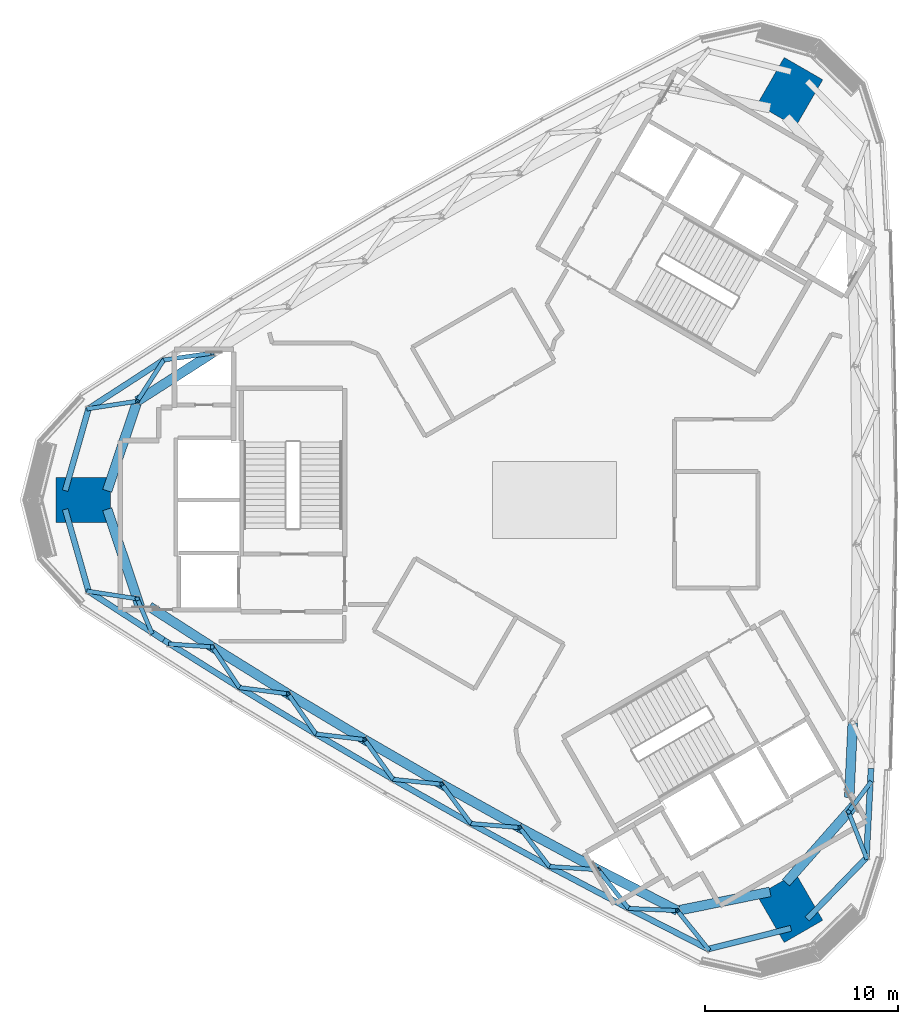
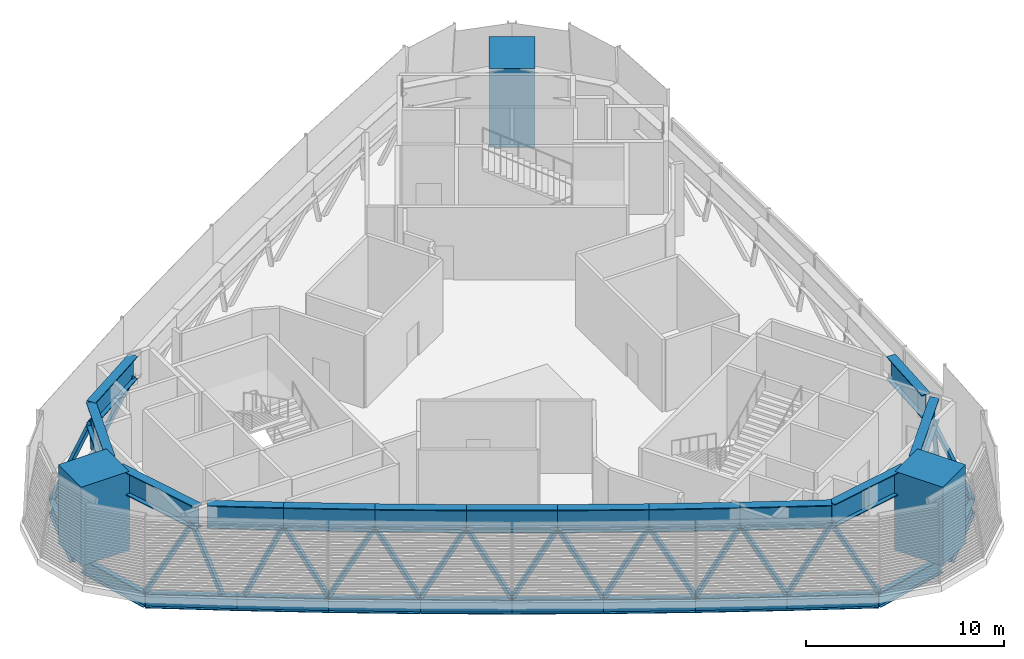
# One storey, part 1 of 18: 27 beams, 21 members, 3 columns.
"""IFC4 building model written with IfcOpenShell, lengths in metres."""

import ifcopenshell
import ifcopenshell.guid

model = None  # the IFC model being written
_history = None  # IfcOwnerHistory: only IFC2X3 demands one
_inside = {}  # id of a spatial element -> (the spatial element, [elements in it])
_under = {}  # id of a project, library or spatial element -> (it, [spatial elements below it])
_declared = {}  # id of a project -> (the project, [libraries it declares])
_typed = {}  # id of a type object -> (the type object, [elements of that type])
_made_of = {}  # id of a material, layer set ... -> (it, [elements and type objects made of it])


def new_model(schema):
    """Start an empty IFC model of exactly this schema.

    Asked for "IFC4X3", IfcOpenShell would pick the latest addendum, in which some entities
    have other attributes; the version numbers below select the first issue.
    IFC2X3 requires an IfcOwnerHistory on every rooted entity: one is made here for all.
    """
    global model, _history
    if schema == "IFC4X3":
        model = ifcopenshell.file(schema_version=(4, 3, 0, 0))
    else:
        model = ifcopenshell.file(schema=schema)
    _inside.clear()
    _under.clear()
    _declared.clear()
    _typed.clear()
    _made_of.clear()
    _history = None
    if model.schema == "IFC2X3":
        org = make("IfcOrganization", Name="unknown")
        user = make(
            "IfcPersonAndOrganization",
            ThePerson=make("IfcPerson", FamilyName="unknown"),
            TheOrganization=org,
        )
        app = make(
            "IfcApplication",
            ApplicationDeveloper=org,
            Version="unknown",
            ApplicationFullName="unknown",
            ApplicationIdentifier="unknown",
        )
        _history = make(
            "IfcOwnerHistory",
            OwningUser=user,
            OwningApplication=app,
            ChangeAction="ADDED",
            CreationDate=0,
        )
    return model


def make(cls, **values):
    """One entity of the class cls with the attributes given. An attribute that is None is left unset."""
    return model.create_entity(
        cls, **{name: value for name, value in values.items() if value is not None}
    )


def rooted(cls, **values):
    """An entity with a GlobalId (a new one), such as an element, a storey or a relation."""
    return make(cls, GlobalId=ifcopenshell.guid.new(), OwnerHistory=_history, **values)


def si_unit(unit_type, name, prefix=None):
    """IfcSIUnit, for example si_unit("LENGTHUNIT", "METRE", prefix="MILLI")."""
    return make("IfcSIUnit", UnitType=unit_type, Prefix=prefix, Name=name)


def assignment(units):
    """IfcUnitAssignment: the units of a project."""
    return None if units is None else make("IfcUnitAssignment", Units=units)


def point(xyz):
    """IfcCartesianPoint."""
    return None if xyz is None else make("IfcCartesianPoint", Coordinates=xyz)


def direction(xyz):
    """IfcDirection."""
    return None if xyz is None else make("IfcDirection", DirectionRatios=xyz)


def frame(location, z_axis=None, x_axis=None):
    """IfcAxis2Placement3D, a coordinate frame: its origin and axes. An axis left out is left unset."""
    return make(
        "IfcAxis2Placement3D",
        Location=point(location),
        Axis=direction(z_axis),
        RefDirection=direction(x_axis),
    )


def frame_2d(location, x_axis=None):
    """IfcAxis2Placement2D, a coordinate frame in the plane: its origin and x axis."""
    return make(
        "IfcAxis2Placement2D", Location=point(location), RefDirection=direction(x_axis)
    )


def origin():
    """The frame at (0, 0, 0) with its axes left unset."""
    return frame((0.0, 0.0, 0.0))


def origin_2d():
    """The frame at (0, 0) in the plane with its x axis left unset."""
    return frame_2d((0.0, 0.0))


def place(relative_to, where):
    """IfcLocalPlacement: puts the frame where relative to a parent placement (None: the world)."""
    return make(
        "IfcLocalPlacement", PlacementRelTo=relative_to, RelativePlacement=where
    )


def context(
    kind, dimensions, precision=None, world=None, true_north=None, identifier=None
):
    """IfcGeometricRepresentationContext, for example the 3D "Model" context."""
    return make(
        "IfcGeometricRepresentationContext",
        ContextIdentifier=identifier,
        ContextType=kind,
        CoordinateSpaceDimension=dimensions,
        Precision=precision,
        WorldCoordinateSystem=world,
        TrueNorth=true_north,
    )


def subcontext(parent, identifier, kind, view, scale=None):
    """IfcGeometricRepresentationSubContext, for example "Body" below "Model"."""
    return make(
        "IfcGeometricRepresentationSubContext",
        ContextIdentifier=identifier,
        ContextType=kind,
        ParentContext=parent,
        TargetScale=scale,
        TargetView=view,
    )


def project(units=None, contexts=None):
    """IfcProject with its units and contexts."""
    return rooted(
        "IfcProject",
        Name="project",
        RepresentationContexts=contexts,
        UnitsInContext=assignment(units),
    )


def spatial(cls, under=None, at=None, **own):
    """A site, building, storey or space (cls), placed at a placement, below another one or the project."""
    s = rooted(cls, ObjectPlacement=at, **own)
    if under is not None:
        _under.setdefault(under.id(), (under, []))[1].append(s)
    return s


def profile(cls, at=None, kind="AREA", **sizes):
    """A parametric profile (cls). Its sizes go by their IFC names, for example OverallWidth=200.0."""
    return make(cls, ProfileType=kind, Position=at, **sizes)


def rectangle(**sizes):
    """IfcRectangleProfileDef."""
    return profile("IfcRectangleProfileDef", **sizes)


def hollow_rectangle(**sizes):
    """IfcRectangleHollowProfileDef."""
    return profile("IfcRectangleHollowProfileDef", **sizes)


def i_section(**sizes):
    """IfcIShapeProfileDef."""
    return profile("IfcIShapeProfileDef", **sizes)


def extrude(swept, where, along, depth):
    """IfcExtrudedAreaSolid: the profile swept, set in the frame where, extruded along a direction by depth."""
    return make(
        "IfcExtrudedAreaSolid",
        SweptArea=swept,
        Position=where,
        ExtrudedDirection=direction(along),
        Depth=depth,
    )


def shape(context_of_items, identifier, shape_type, items):
    """IfcShapeRepresentation: the items that make up one representation, for example the "Body"."""
    return make(
        "IfcShapeRepresentation",
        ContextOfItems=context_of_items,
        RepresentationIdentifier=identifier,
        RepresentationType=shape_type,
        Items=items,
    )


def material(Name=None, Category=None):
    """IfcMaterial."""
    return make("IfcMaterial", Name=Name, Category=Category)


def material_profile(
    of_material, cross_section, Name=None, Category=None, Priority=None
):
    """IfcMaterialProfile: a cross section and its material."""
    return make(
        "IfcMaterialProfile",
        Name=Name,
        Material=of_material,
        Profile=cross_section,
        Priority=Priority,
        Category=Category,
    )


def profile_set(profiles, Name=None, composite=None):
    """IfcMaterialProfileSet."""
    return make(
        "IfcMaterialProfileSet",
        Name=Name,
        MaterialProfiles=profiles,
        CompositeProfile=composite,
    )


def made_of(thing, what):
    """Note that an element or type object is made of a material, layer set ...; save() writes the relation."""
    if what is not None:
        _made_of.setdefault(what.id(), (what, []))[1].append(thing)
    return thing


def type_object(cls, material=None, **own):
    """A type object (cls), such as IfcWallType, which elements share."""
    return made_of(rooted(cls, **own), material)


def element(
    cls,
    number,
    at=None,
    inside=None,
    cuts=None,
    type_object=None,
    material=None,
    context=None,
    identifier="Body",
    shape_type=None,
    held_by="IfcProductDefinitionShape",
    body=None,
    shapes=None,
    **own,
):
    """One element of the class cls, such as IfcWall. Its Tag is "e" and its number.

    at: its placement. inside: the storey or other place that contains it. cuts: it is an
    opening in that element (IfcRelVoidsElement). A single representation is given by context,
    identifier, shape_type and body (its items); several are given by shapes. held_by: the class
    of the entity that holds the representations. save() writes the other relations.
    """
    e = rooted(cls, Tag="e%d" % number, ObjectPlacement=at, **own)
    if body is not None:
        shapes = [shape(context, identifier, shape_type, body)]
    if shapes is not None:
        e.Representation = make(held_by, Representations=shapes)
    if inside is not None:
        _inside.setdefault(inside.id(), (inside, []))[1].append(e)
    if cuts is not None:
        rooted(
            "IfcRelVoidsElement", RelatingBuildingElement=cuts, RelatedOpeningElement=e
        )
    if type_object is not None:
        _typed.setdefault(type_object.id(), (type_object, []))[1].append(e)
    return made_of(e, material)


def aggregate(whole, parts):
    """IfcRelAggregates: a whole, such as a stair, and the parts it consists of."""
    return rooted("IfcRelAggregates", RelatingObject=whole, RelatedObjects=parts)


def save(model, path):
    """Write the relations noted so far, then the file.

    IfcRelAggregates (storeys below a building ...), IfcRelContainedInSpatialStructure (elements
    in a storey), IfcRelDefinesByType, IfcRelAssociatesMaterial and IfcRelDeclares: one each for
    every whole, place, type object, material and project.
    """
    for whole, parts in _under.values():
        aggregate(whole, parts)
    for where, things in _inside.values():
        rooted(
            "IfcRelContainedInSpatialStructure",
            RelatedElements=things,
            RelatingStructure=where,
        )
    for kind, things in _typed.values():
        rooted("IfcRelDefinesByType", RelatedObjects=things, RelatingType=kind)
    for what, things in _made_of.values():
        rooted("IfcRelAssociatesMaterial", RelatedObjects=things, RelatingMaterial=what)
    for by, libraries in _declared.values():
        rooted("IfcRelDeclares", RelatingContext=by, RelatedDefinitions=libraries)
    model.write(path)


model = new_model("IFC4")

# Units and contexts
model_context = context("Model", 3, precision=1e-05, world=origin(), true_north=direction((0.0, 1.0)))
body_context = subcontext(model_context, "Body", "Model", "MODEL_VIEW")
ifc_project = project(units=[si_unit("LENGTHUNIT", "METRE"), si_unit("AREAUNIT", "SQUARE_METRE"), si_unit("VOLUMEUNIT", "CUBIC_METRE"), si_unit("PLANEANGLEUNIT", "RADIAN"), si_unit("MASSUNIT", "GRAM", prefix="KILO")], contexts=[model_context])

# Site, building, storey
site_placement = place(None, origin())
site = spatial("IfcSite", under=ifc_project, at=site_placement, CompositionType="ELEMENT")
building_placement = place(site_placement, origin())
building = spatial("IfcBuilding", under=site, at=building_placement, Name="Tamra Quay Hotel Tower", CompositionType="ELEMENT")
storey_placement = place(building_placement, frame((0.0, 0.0, 257.39990234375)))
storey = spatial("IfcBuildingStorey", under=building, at=storey_placement, Name="L65", CompositionType="ELEMENT", Elevation=257.39990234375)

# Columns
ifc_material_1 = material(Name="Concrete M70", Category="concrete")
ifc_material_profile_1 = material_profile(ifc_material_1, rectangle(XDim=2.800048828125, YDim=2.300048828125, at=origin_2d()), Name="MEGA COLUMN RC 2300x2800 Z5 BELT")
ifc_profile_set_1 = profile_set([ifc_material_profile_1], Name="Concrete M70")
column_type = type_object("IfcColumnType", Name="MEGA COLUMN RC 2300x2800 Z5 BELT", PredefinedType="COLUMN", material=ifc_profile_set_1)
for number, where, z_axis, x_axis, name in (
    (1, (12.17333984375, 21.0849609375, -0.39990234375), (0.0, 0.0, 1.0), (0.5, 0.866025403784, 0.0), "COL-MR5NE-L65"),
    (2, (-24.346923828125, 0.0, -0.39990234375), (0.0, 0.0, 1.0), (1.0, 0.0, 0.0), "COL-MR5W-L65"),
    (3, (12.17333984375, -21.0849609375, -0.39990234375), (0.0, 0.0, 1.0), (-0.5, 0.866025403784, 0.0), "COL-MR5SE-L65"),
):
    element("IfcColumn", number, at=place(storey_placement, frame(where, z_axis=z_axis, x_axis=x_axis)), inside=storey, type_object=column_type, Name=name, PredefinedType="COLUMN", context=body_context, shape_type="SweptSolid", body=[
        extrude(rectangle(XDim=2.800048828125, YDim=2.300048828125, at=origin_2d()), origin(), (0.0, 0.0, 1.0), 4.85009765625),
    ])

# Members
ifc_material_2 = material(Name="Structural steel IS 2062 E350", Category="steel")
ifc_material_profile_2 = material_profile(ifc_material_2, hollow_rectangle(XDim=0.219970703125, YDim=0.219970703125, WallThickness=0.010009765625, at=origin_2d()), Name="SHS 220x220x10")
ifc_profile_set_2 = profile_set([ifc_material_profile_2], Name="Structural steel IS 2062 E350")
member_type = type_object("IfcMemberType", Name="BELT BRACE SHS 220x220x10 Z5", PredefinedType="BRACE", material=ifc_profile_set_2)
member_1_placement = place(storey_placement, frame((16.12548828125, -18.490966796875, -0.39990234375), z_axis=(-0.209315007637, 0.538317676346, 0.816334065755), x_axis=(-0.93202265789, -0.362400007146, 0.0)))
element("IfcMember", 4, at=member_1_placement, inside=storey, type_object=member_type, Name="BR-L65-000", PredefinedType="BRACE", context=body_context, shape_type="SweptSolid", body=[
    extrude(hollow_rectangle(XDim=0.219970703125, YDim=0.219970703125, WallThickness=0.010009765625, at=origin_2d()), origin(), (0.0, 0.0, 1.0), 4.41015625),
])
member_2_placement = place(storey_placement, frame((-20.19482421875, 7.235107421875, -0.39990234375), z_axis=(0.570533750295, 0.081686910921, 0.817201620384), x_axis=(-0.141730965133, 0.989905214413, 0.0)))
element("IfcMember", 5, at=member_2_placement, inside=storey, type_object=member_type, Name="BR-L65-025", PredefinedType="BRACE", context=body_context, shape_type="SweptSolid", body=[
    extrude(hollow_rectangle(XDim=0.219970703125, YDim=0.219970703125, WallThickness=0.010009765625, at=origin_2d()), origin(), (0.0, 0.0, 1.0), 4.405517578125),
])
member_3_placement = place(storey_placement, frame((-20.19482421875, 7.235107421875, -0.39990234375), z_axis=(-0.31009696568, -0.483711304081, 0.818451737233), x_axis=(0.841858882324, -0.539697713774, 0.0)))
element("IfcMember", 6, at=member_3_placement, inside=storey, type_object=member_type, Name="BR-L65-026", PredefinedType="BRACE", context=body_context, shape_type="SweptSolid", body=[
    extrude(hollow_rectangle(XDim=0.219970703125, YDim=0.219970703125, WallThickness=0.010009765625, at=origin_2d()), origin(), (0.0, 0.0, 1.0), 4.398681640625),
])
for number, where, z_axis, x_axis, name in (
    (7, (-24.076416015625, 4.7197265625, -0.39990234375), (0.570863096706, 0.087910259656, 0.816325370833), (-0.152201226548, 0.988349526553, 0.0), "BR-L65-027"),
    (8, (-24.076416015625, -4.7197265625, -0.39990234375), (0.570863096706, -0.087910259656, 0.816325370833), (0.152201226548, 0.988349526553, 0.0), "BR-L65-028"),
):
    element("IfcMember", number, at=place(storey_placement, frame(where, z_axis=z_axis, x_axis=x_axis)), inside=storey, type_object=member_type, Name=name, PredefinedType="BRACE", context=body_context, shape_type="SweptSolid", body=[
        extrude(hollow_rectangle(XDim=0.219970703125, YDim=0.219970703125, WallThickness=0.010009765625, at=origin_2d()), origin(), (0.0, 0.0, 1.0), 4.41015625),
    ])
member_4_placement = place(storey_placement, frame((-16.277099609375, -9.693359375, -0.39990234375), z_axis=(-0.319356490447, 0.477202544401, 0.818711892931), x_axis=(-0.831067195987, -0.556172019932, 0.0)))
element("IfcMember", 9, at=member_4_placement, inside=storey, type_object=member_type, Name="BR-L65-029", PredefinedType="BRACE", context=body_context, shape_type="SweptSolid", body=[
    extrude(hollow_rectangle(XDim=0.219970703125, YDim=0.219970703125, WallThickness=0.010009765625, at=origin_2d()), origin(), (0.0, 0.0, 1.0), 4.397216796875),
])
member_5_placement = place(storey_placement, frame((-16.277099609375, -9.693359375, -0.39990234375), z_axis=(0.570586145744, -0.074706409245, 0.817832747389), x_axis=(0.129821238193, 0.991537415388, 0.0)))
element("IfcMember", 10, at=member_5_placement, inside=storey, type_object=member_type, Name="BR-L65-030", PredefinedType="BRACE", context=body_context, shape_type="SweptSolid", body=[
    extrude(hollow_rectangle(XDim=0.219970703125, YDim=0.219970703125, WallThickness=0.010009765625, at=origin_2d()), origin(), (0.0, 0.0, 1.0), 4.402099609375),
])
member_6_placement = place(storey_placement, frame((-12.322998046875, -12.093994140625, -0.39990234375), z_axis=(-0.328039433688, 0.471181894766, 0.818765993426), x_axis=(-0.820692256642, -0.571370475164, 0.0)))
element("IfcMember", 11, at=member_6_placement, inside=storey, type_object=member_type, Name="BR-L65-031", PredefinedType="BRACE", context=body_context, shape_type="SweptSolid", body=[
    extrude(hollow_rectangle(XDim=0.219970703125, YDim=0.219970703125, WallThickness=0.010009765625, at=origin_2d()), origin(), (0.0, 0.0, 1.0), 4.39697265625),
])
member_7_placement = place(storey_placement, frame((-12.322998046875, -12.093994140625, -0.39990234375), z_axis=(0.570796422522, -0.066764034642, 0.818372780409), x_axis=(0.116174455489, 0.99322882353, 0.0)))
element("IfcMember", 12, at=member_7_placement, inside=storey, type_object=member_type, Name="BR-L65-032", PredefinedType="BRACE", context=body_context, shape_type="SweptSolid", body=[
    extrude(hollow_rectangle(XDim=0.219970703125, YDim=0.219970703125, WallThickness=0.010009765625, at=origin_2d()), origin(), (0.0, 0.0, 1.0), 4.399169921875),
])
member_8_placement = place(storey_placement, frame((-8.334716796875, -14.43603515625, -0.39990234375), z_axis=(-0.335932830452, 0.465786886051, 0.818652374459), x_axis=(-0.811066517713, -0.584953933097, 0.0)))
element("IfcMember", 13, at=member_8_placement, inside=storey, type_object=member_type, Name="BR-L65-033", PredefinedType="BRACE", context=body_context, shape_type="SweptSolid", body=[
    extrude(hollow_rectangle(XDim=0.219970703125, YDim=0.219970703125, WallThickness=0.010009765625, at=origin_2d()), origin(), (0.0, 0.0, 1.0), 4.397705078125),
])
member_9_placement = place(storey_placement, frame((-8.334716796875, -14.43603515625, -0.39990234375), z_axis=(0.571331493672, -0.058071396597, 0.818662346292), x_axis=(0.101121205208, 0.994874113573, 0.0)))
element("IfcMember", 14, at=member_9_placement, inside=storey, type_object=member_type, Name="BR-L65-034", PredefinedType="BRACE", context=body_context, shape_type="SweptSolid", body=[
    extrude(hollow_rectangle(XDim=0.219970703125, YDim=0.219970703125, WallThickness=0.010009765625, at=origin_2d()), origin(), (0.0, 0.0, 1.0), 4.3974609375),
])
member_10_placement = place(storey_placement, frame((-4.312255859375, -16.718994140625, -0.39990234375), z_axis=(-0.343255450706, 0.460911320632, 0.818374272612), x_axis=(-0.802023424463, -0.59729258041, 0.0)))
element("IfcMember", 15, at=member_10_placement, inside=storey, type_object=member_type, Name="BR-L65-035", PredefinedType="BRACE", context=body_context, shape_type="SweptSolid", body=[
    extrude(hollow_rectangle(XDim=0.219970703125, YDim=0.219970703125, WallThickness=0.010009765625, at=origin_2d()), origin(), (0.0, 0.0, 1.0), 4.399169921875),
])
member_11_placement = place(storey_placement, frame((-4.312255859375, -16.718994140625, -0.39990234375), z_axis=(0.57207252315, -0.048473193508, 0.818769428941), x_axis=(0.084430056621, 0.996429408207, 0.0)))
element("IfcMember", 16, at=member_11_placement, inside=storey, type_object=member_type, Name="BR-L65-036", PredefinedType="BRACE", context=body_context, shape_type="SweptSolid", body=[
    extrude(hollow_rectangle(XDim=0.219970703125, YDim=0.219970703125, WallThickness=0.010009765625, at=origin_2d()), origin(), (0.0, 0.0, 1.0), 4.39697265625),
])
member_12_placement = place(storey_placement, frame((-0.25634765625, -18.943115234375, -0.39990234375), z_axis=(-0.349957259333, 0.456830102239, 0.817824048514), x_axis=(-0.793840529378, -0.608125985234, 0.0)))
element("IfcMember", 17, at=member_12_placement, inside=storey, type_object=member_type, Name="BR-L65-037", PredefinedType="BRACE", context=body_context, shape_type="SweptSolid", body=[
    extrude(hollow_rectangle(XDim=0.219970703125, YDim=0.219970703125, WallThickness=0.010009765625, at=origin_2d()), origin(), (0.0, 0.0, 1.0), 4.402099609375),
])
member_13_placement = place(storey_placement, frame((-0.25634765625, -18.943115234375, -0.39990234375), z_axis=(0.572966705961, -0.037975700279, 0.81869835718), x_axis=(0.066133968493, 0.997810752704, 0.0)))
element("IfcMember", 18, at=member_13_placement, inside=storey, type_object=member_type, Name="BR-L65-038", PredefinedType="BRACE", context=body_context, shape_type="SweptSolid", body=[
    extrude(hollow_rectangle(XDim=0.219970703125, YDim=0.219970703125, WallThickness=0.010009765625, at=origin_2d()), origin(), (0.0, 0.0, 1.0), 4.3974609375),
])
member_14_placement = place(storey_placement, frame((3.83154296875, -21.10693359375, -0.39990234375), z_axis=(-0.35600637655, 0.453265279235, 0.817196455264), x_axis=(-0.786428431163, -0.617681408704, 0.0)))
element("IfcMember", 19, at=member_14_placement, inside=storey, type_object=member_type, Name="BR-L65-039", PredefinedType="BRACE", context=body_context, shape_type="SweptSolid", body=[
    extrude(hollow_rectangle(XDim=0.219970703125, YDim=0.219970703125, WallThickness=0.010009765625, at=origin_2d()), origin(), (0.0, 0.0, 1.0), 4.405517578125),
])
member_15_placement = place(storey_placement, frame((3.83154296875, -21.10693359375, -0.39990234375), z_axis=(0.573996111114, -0.026640701347, 0.818424545977), x_axis=(0.046362777101, 0.998924668281, 0.0)))
element("IfcMember", 20, at=member_15_placement, inside=storey, type_object=member_type, Name="BR-L65-040", PredefinedType="BRACE", context=body_context, shape_type="SweptSolid", body=[
    extrude(hollow_rectangle(XDim=0.219970703125, YDim=0.219970703125, WallThickness=0.010009765625, at=origin_2d()), origin(), (0.0, 0.0, 1.0), 4.39892578125),
])
member_16_placement = place(storey_placement, frame((7.950927734375, -23.210693359375, -0.39990234375), z_axis=(-0.361547192842, 0.450453147781, 0.816318313528), x_axis=(-0.779867309755, -0.625944869118, 0.0)))
element("IfcMember", 21, at=member_16_placement, inside=storey, type_object=member_type, Name="BR-L65-041", PredefinedType="BRACE", context=body_context, shape_type="SweptSolid", body=[
    extrude(hollow_rectangle(XDim=0.219970703125, YDim=0.219970703125, WallThickness=0.010009765625, at=origin_2d()), origin(), (0.0, 0.0, 1.0), 4.41015625),
])
member_17_placement = place(storey_placement, frame((16.32470703125, -14.62060546875, -0.39990234375), z_axis=(-0.276635946318, -0.368827869259, 0.887377347053), x_axis=(0.799984336794, -0.600020883707, 0.0)))
element("IfcMember", 22, at=member_17_placement, inside=storey, type_object=member_type, Name="BR-L65-042", PredefinedType="BRACE", context=body_context, shape_type="SweptSolid", body=[
    extrude(hollow_rectangle(XDim=0.219970703125, YDim=0.219970703125, WallThickness=0.010009765625, at=origin_2d()), origin(), (0.0, 0.0, 1.0), 4.05712890625),
])
member_18_placement = place(storey_placement, frame((-20.82421875, -6.827392578125, -0.39990234375), z_axis=(-0.181077671892, 0.423958856257, 0.887394931777), x_axis=(-0.919630466453, -0.39278468042, 0.0)))
element("IfcMember", 23, at=member_18_placement, inside=storey, type_object=member_type, Name="BR-L65-046", PredefinedType="BRACE", context=body_context, shape_type="SweptSolid", body=[
    extrude(hollow_rectangle(XDim=0.219970703125, YDim=0.219970703125, WallThickness=0.010009765625, at=origin_2d()), origin(), (0.0, 0.0, 1.0), 4.056884765625),
])
member_19_placement = place(storey_placement, frame((-19.85595703125, -7.44775390625, -0.39990234375), z_axis=(0.516712378328, -0.034981201766, 0.855444114835), x_axis=(0.067544952044, 0.997716231928, 0.0)))
element("IfcMember", 24, at=member_19_placement, inside=storey, type_object=member_type, Name="BR-L65-047", PredefinedType="BRACE", context=body_context, shape_type="SweptSolid", body=[
    extrude(hollow_rectangle(XDim=0.219970703125, YDim=0.219970703125, WallThickness=0.010009765625, at=origin_2d()), origin(), (0.0, 0.0, 1.0), 4.20849609375),
])

# Beams
ifc_material_profile_3 = material_profile(ifc_material_2, i_section(OverallWidth=0.302001953125, OverallDepth=0.909912109375, WebThickness=0.027099609375, FlangeThickness=0.0400390625, at=origin_2d()), Name="WPB 900x300x333")
ifc_profile_set_3 = profile_set([ifc_material_profile_3], Name="Structural steel IS 2062 E350")
beam_type_1 = type_object("IfcBeamType", Name="BELT CHORD WPB 900x300x333 Z5", PredefinedType="BEAM", material=ifc_profile_set_3)
beam_1_placement = place(storey_placement, frame((16.12548828125, -18.490966796875, -0.85498046875), z_axis=(0.051409125155, 0.998677676656, 0.0), x_axis=(-0.998677676656, 0.051409125155, 0.0)))
element("IfcBeam", 25, at=beam_1_placement, inside=storey, type_object=beam_type_1, Name="BM-CHB-L65-000", PredefinedType="BEAM", context=body_context, shape_type="SweptSolid", body=[
    extrude(i_section(OverallWidth=0.302001953125, OverallDepth=0.909912109375, WebThickness=0.027099609375, FlangeThickness=0.0400390625, at=origin_2d()), origin(), (0.0, 0.0, 1.0), 4.62548828125),
])
beam_2_placement = place(storey_placement, frame((-20.19482421875, 7.235107421875, -0.85498046875), z_axis=(-0.839198934581, -0.54382455645, 0.0), x_axis=(0.54382455645, -0.839198934581, 0.0)))
element("IfcBeam", 26, at=beam_2_placement, inside=storey, type_object=beam_type_1, Name="BM-CHB-L65-017", PredefinedType="BEAM", context=body_context, shape_type="SweptSolid", body=[
    extrude(i_section(OverallWidth=0.302001953125, OverallDepth=0.909912109375, WebThickness=0.027099609375, FlangeThickness=0.0400390625, at=origin_2d()), origin(), (0.0, 0.0, 1.0), 4.625244140625),
])
for number, where, z_axis, x_axis, name in (
    (27, (-24.076416015625, 4.7197265625, -0.85498046875), (-0.273894384412, -0.961759775717, 0.0), (0.961759775717, -0.273894384412, 0.0), "BM-CHB-L65-018"),
    (28, (-25.28369140625, -0.48046875, -0.85498046875), (0.273894384412, -0.961759775717, 0.0), (0.961759775717, 0.273894384412, 0.0), "BM-CHB-L65-019"),
):
    element("IfcBeam", number, at=place(storey_placement, frame(where, z_axis=z_axis, x_axis=x_axis)), inside=storey, type_object=beam_type_1, Name=name, PredefinedType="BEAM", context=body_context, shape_type="SweptSolid", body=[
        extrude(i_section(OverallWidth=0.302001953125, OverallDepth=0.909912109375, WebThickness=0.027099609375, FlangeThickness=0.0400390625, at=origin_2d()), origin(), (0.0, 0.0, 1.0), 4.40771484375),
    ])
beam_3_placement = place(storey_placement, frame((-24.076416015625, -4.7197265625, -0.85498046875), z_axis=(0.839198934581, -0.54382455645, 0.0), x_axis=(0.54382455645, 0.839198934581, 0.0)))
element("IfcBeam", 29, at=beam_3_placement, inside=storey, type_object=beam_type_1, Name="BM-CHB-L65-020", PredefinedType="BEAM", context=body_context, shape_type="SweptSolid", body=[
    extrude(i_section(OverallWidth=0.302001953125, OverallDepth=0.909912109375, WebThickness=0.027099609375, FlangeThickness=0.0400390625, at=origin_2d()), origin(), (0.0, 0.0, 1.0), 4.625244140625),
])
beam_4_placement = place(storey_placement, frame((-20.19482421875, -7.235107421875, -0.85498046875), z_axis=(0.847056904841, -0.531502210684, 0.0), x_axis=(0.531502210684, 0.847056904841, 0.0)))
element("IfcBeam", 30, at=beam_4_placement, inside=storey, type_object=beam_type_1, Name="BM-CHB-L65-021", PredefinedType="BEAM", context=body_context, shape_type="SweptSolid", body=[
    extrude(i_section(OverallWidth=0.302001953125, OverallDepth=0.909912109375, WebThickness=0.027099609375, FlangeThickness=0.0400390625, at=origin_2d()), origin(), (0.0, 0.0, 1.0), 4.625),
])
beam_5_placement = place(storey_placement, frame((-16.277099609375, -9.693359375, -0.85498046875), z_axis=(0.85479420464, -0.518967116216, 0.0), x_axis=(0.518967116216, 0.85479420464, 0.0)))
element("IfcBeam", 31, at=beam_5_placement, inside=storey, type_object=beam_type_1, Name="BM-CHB-L65-022", PredefinedType="BEAM", context=body_context, shape_type="SweptSolid", body=[
    extrude(i_section(OverallWidth=0.302001953125, OverallDepth=0.909912109375, WebThickness=0.027099609375, FlangeThickness=0.0400390625, at=origin_2d()), origin(), (0.0, 0.0, 1.0), 4.625732421875),
])
beam_6_placement = place(storey_placement, frame((-12.322998046875, -12.093994140625, -0.85498046875), z_axis=(0.862312568749, -0.506376375612, 0.0), x_axis=(0.506376375612, 0.862312568749, 0.0)))
element("IfcBeam", 32, at=beam_6_placement, inside=storey, type_object=beam_type_1, Name="BM-CHB-L65-023", PredefinedType="BEAM", context=body_context, shape_type="SweptSolid", body=[
    extrude(i_section(OverallWidth=0.302001953125, OverallDepth=0.909912109375, WebThickness=0.027099609375, FlangeThickness=0.0400390625, at=origin_2d()), origin(), (0.0, 0.0, 1.0), 4.625),
])
beam_7_placement = place(storey_placement, frame((-8.334716796875, -14.43603515625, -0.85498046875), z_axis=(0.869691427022, -0.49359580809, 0.0), x_axis=(0.49359580809, 0.869691427022, 0.0)))
element("IfcBeam", 33, at=beam_7_placement, inside=storey, type_object=beam_type_1, Name="BM-CHB-L65-024", PredefinedType="BEAM", context=body_context, shape_type="SweptSolid", body=[
    extrude(i_section(OverallWidth=0.302001953125, OverallDepth=0.909912109375, WebThickness=0.027099609375, FlangeThickness=0.0400390625, at=origin_2d()), origin(), (0.0, 0.0, 1.0), 4.625244140625),
])
beam_8_placement = place(storey_placement, frame((-4.312255859375, -16.718994140625, -0.85498046875), z_axis=(0.876820304317, -0.480818212985, 0.0), x_axis=(0.480818212985, 0.876820304317, 0.0)))
element("IfcBeam", 34, at=beam_8_placement, inside=storey, type_object=beam_type_1, Name="BM-CHB-L65-025", PredefinedType="BEAM", context=body_context, shape_type="SweptSolid", body=[
    extrude(i_section(OverallWidth=0.302001953125, OverallDepth=0.909912109375, WebThickness=0.027099609375, FlangeThickness=0.0400390625, at=origin_2d()), origin(), (0.0, 0.0, 1.0), 4.625732421875),
])
beam_9_placement = place(storey_placement, frame((-0.25634765625, -18.943115234375, -0.85498046875), z_axis=(0.883820012817, -0.467827088724, 0.0), x_axis=(0.467827088724, 0.883820012817, 0.0)))
element("IfcBeam", 35, at=beam_9_placement, inside=storey, type_object=beam_type_1, Name="BM-CHB-L65-026", PredefinedType="BEAM", context=body_context, shape_type="SweptSolid", body=[
    extrude(i_section(OverallWidth=0.302001953125, OverallDepth=0.909912109375, WebThickness=0.027099609375, FlangeThickness=0.0400390625, at=origin_2d()), origin(), (0.0, 0.0, 1.0), 4.625244140625),
])
beam_10_placement = place(storey_placement, frame((3.83154296875, -21.10693359375, -0.85498046875), z_axis=(0.890583885956, -0.454819021234, 0.0), x_axis=(0.454819021234, 0.890583885956, 0.0)))
element("IfcBeam", 36, at=beam_10_placement, inside=storey, type_object=beam_type_1, Name="BM-CHB-L65-027", PredefinedType="BEAM", context=body_context, shape_type="SweptSolid", body=[
    extrude(i_section(OverallWidth=0.302001953125, OverallDepth=0.909912109375, WebThickness=0.027099609375, FlangeThickness=0.0400390625, at=origin_2d()), origin(), (0.0, 0.0, 1.0), 4.62548828125),
])
beam_11_placement = place(storey_placement, frame((7.950927734375, -23.210693359375, -0.85498046875), z_axis=(0.969848559092, 0.243708375785, 0.0), x_axis=(-0.243708375785, 0.969848559092, 0.0)))
element("IfcBeam", 37, at=beam_11_placement, inside=storey, type_object=beam_type_1, Name="BM-CHB-L65-028", PredefinedType="BEAM", context=body_context, shape_type="SweptSolid", body=[
    extrude(i_section(OverallWidth=0.302001953125, OverallDepth=0.909912109375, WebThickness=0.027099609375, FlangeThickness=0.0400390625, at=origin_2d()), origin(), (0.0, 0.0, 1.0), 4.40771484375),
])
beam_12_placement = place(storey_placement, frame((13.05810546875, -21.656005859375, -0.85498046875), z_axis=(0.6959416476, 0.718098338068, 0.0), x_axis=(-0.718098338068, 0.6959416476, 0.0)))
element("IfcBeam", 38, at=beam_12_placement, inside=storey, type_object=beam_type_1, Name="BM-CHB-L65-029", PredefinedType="BEAM", context=body_context, shape_type="SweptSolid", body=[
    extrude(i_section(OverallWidth=0.302001953125, OverallDepth=0.909912109375, WebThickness=0.027099609375, FlangeThickness=0.0400390625, at=origin_2d()), origin(), (0.0, 0.0, 1.0), 4.407470703125),
])
ifc_material_profile_4 = material_profile(ifc_material_2, i_section(OverallWidth=0.5, OverallDepth=1.39990234375, WebThickness=0.02490234375, FlangeThickness=0.050048828125, at=origin_2d()), Name="WPG 1400x500x25x50")
ifc_profile_set_4 = profile_set([ifc_material_profile_4], Name="Structural steel IS 2062 E350")
beam_type_2 = type_object("IfcBeamType", Name="BELT TOP CHORD WPG 1400x500x25x50 Z5", PredefinedType="USERDEFINED", material=ifc_profile_set_4)
beam_13_placement = place(storey_placement, frame((15.2373046875, -15.3720703125, 3.75), z_axis=(0.046853160188, 0.998901787655, 0.0), x_axis=(-0.998901787655, 0.046853160188, 0.0)))
element("IfcBeam", 39, at=beam_13_placement, inside=storey, type_object=beam_type_2, Name="BM-CHT-L65-000", ObjectType="TRANSFER GIRDER", PredefinedType="USERDEFINED", context=body_context, shape_type="SweptSolid", body=[
    extrude(i_section(OverallWidth=0.5, OverallDepth=1.39990234375, WebThickness=0.02490234375, FlangeThickness=0.050048828125, at=origin_2d()), origin(), (0.0, 0.0, 1.0), 3.861083984375),
])
beam_14_placement = place(storey_placement, frame((-17.658203125, 7.610107421875, 3.75), z_axis=(-0.84165568344, -0.540014546594, 0.0), x_axis=(0.540014546594, -0.84165568344, 0.0)))
element("IfcBeam", 40, at=beam_14_placement, inside=storey, type_object=beam_type_2, Name="BM-CHT-L65-015", ObjectType="TRANSFER GIRDER", PredefinedType="USERDEFINED", context=body_context, shape_type="SweptSolid", body=[
    extrude(i_section(OverallWidth=0.5, OverallDepth=1.39990234375, WebThickness=0.02490234375, FlangeThickness=0.050048828125, at=origin_2d()), origin(), (0.0, 0.0, 1.0), 4.634521484375),
])
beam_15_placement = place(storey_placement, frame((-21.558837890625, 5.107421875, 3.75), z_axis=(-0.318249821481, -0.948006883481, 0.0), x_axis=(0.948006883481, -0.318249821481, 0.0)))
element("IfcBeam", 41, at=beam_15_placement, inside=storey, type_object=beam_type_2, Name="BM-CHT-L65-016", ObjectType="TRANSFER GIRDER", PredefinedType="USERDEFINED", context=body_context, shape_type="SweptSolid", body=[
    extrude(i_section(OverallWidth=0.5, OverallDepth=1.39990234375, WebThickness=0.02490234375, FlangeThickness=0.050048828125, at=origin_2d()), origin(), (0.0, 0.0, 1.0), 4.88818359375),
])
beam_16_placement = place(storey_placement, frame((-23.114501953125, -0.473388671875, 3.75), z_axis=(0.318267327692, -0.948001006394, 0.0), x_axis=(0.948001006394, 0.318267327692, 0.0)))
element("IfcBeam", 42, at=beam_16_placement, inside=storey, type_object=beam_type_2, Name="BM-CHT-L65-017", ObjectType="TRANSFER GIRDER", PredefinedType="USERDEFINED", context=body_context, shape_type="SweptSolid", body=[
    extrude(i_section(OverallWidth=0.5, OverallDepth=1.39990234375, WebThickness=0.02490234375, FlangeThickness=0.050048828125, at=origin_2d()), origin(), (0.0, 0.0, 1.0), 5.31298828125),
])
beam_17_placement = place(storey_placement, frame((-20.93115234375, -5.510009765625, 3.75), z_axis=(0.84166913977, -0.539993573258, 0.0), x_axis=(0.539993573258, 0.84166913977, 0.0)))
element("IfcBeam", 43, at=beam_17_placement, inside=storey, type_object=beam_type_2, Name="BM-CHT-L65-018", ObjectType="TRANSFER GIRDER", PredefinedType="USERDEFINED", context=body_context, shape_type="SweptSolid", body=[
    extrude(i_section(OverallWidth=0.5, OverallDepth=1.39990234375, WebThickness=0.02490234375, FlangeThickness=0.050048828125, at=origin_2d()), origin(), (0.0, 0.0, 1.0), 3.861083984375),
])
beam_18_placement = place(storey_placement, frame((-17.681396484375, -7.594970703125, 3.75), z_axis=(0.849969133721, -0.526832489243, 0.0), x_axis=(0.526832489243, 0.849969133721, 0.0)))
element("IfcBeam", 44, at=beam_18_placement, inside=storey, type_object=beam_type_2, Name="BM-CHT-L65-019", ObjectType="TRANSFER GIRDER", PredefinedType="USERDEFINED", context=body_context, shape_type="SweptSolid", body=[
    extrude(i_section(OverallWidth=0.5, OverallDepth=1.39990234375, WebThickness=0.02490234375, FlangeThickness=0.050048828125, at=origin_2d()), origin(), (0.0, 0.0, 1.0), 4.607177734375),
])
beam_19_placement = place(storey_placement, frame((-13.765380859375, -10.022216796875, 3.75), z_axis=(0.858118856474, -0.513451096176, 0.0), x_axis=(0.513451096176, 0.858118856474, 0.0)))
element("IfcBeam", 45, at=beam_19_placement, inside=storey, type_object=beam_type_2, Name="BM-CHT-L65-020", ObjectType="TRANSFER GIRDER", PredefinedType="USERDEFINED", context=body_context, shape_type="SweptSolid", body=[
    extrude(i_section(OverallWidth=0.5, OverallDepth=1.39990234375, WebThickness=0.02490234375, FlangeThickness=0.050048828125, at=origin_2d()), origin(), (0.0, 0.0, 1.0), 4.60693359375),
])
beam_20_placement = place(storey_placement, frame((-9.81201171875, -12.3876953125, 3.75), z_axis=(0.866003789707, -0.500037434811, 0.0), x_axis=(0.500037434811, 0.866003789707, 0.0)))
element("IfcBeam", 46, at=beam_20_placement, inside=storey, type_object=beam_type_2, Name="BM-CHT-L65-021", ObjectType="TRANSFER GIRDER", PredefinedType="USERDEFINED", context=body_context, shape_type="SweptSolid", body=[
    extrude(i_section(OverallWidth=0.5, OverallDepth=1.39990234375, WebThickness=0.02490234375, FlangeThickness=0.050048828125, at=origin_2d()), origin(), (0.0, 0.0, 1.0), 4.607177734375),
])
beam_21_placement = place(storey_placement, frame((-5.822265625, -14.69140625, 3.75), z_axis=(0.873752024122, -0.486371668935, 0.0), x_axis=(0.486371668935, 0.873752024122, 0.0)))
element("IfcBeam", 47, at=beam_21_placement, inside=storey, type_object=beam_type_2, Name="BM-CHT-L65-022", ObjectType="TRANSFER GIRDER", PredefinedType="USERDEFINED", context=body_context, shape_type="SweptSolid", body=[
    extrude(i_section(OverallWidth=0.5, OverallDepth=1.39990234375, WebThickness=0.02490234375, FlangeThickness=0.050048828125, at=origin_2d()), origin(), (0.0, 0.0, 1.0), 4.60693359375),
])
beam_22_placement = place(storey_placement, frame((-1.796875, -16.93212890625, 3.75), z_axis=(0.881219857657, -0.47270663468, 0.0), x_axis=(0.47270663468, 0.881219857657, 0.0)))
element("IfcBeam", 48, at=beam_22_placement, inside=storey, type_object=beam_type_2, Name="BM-CHT-L65-023", ObjectType="TRANSFER GIRDER", PredefinedType="USERDEFINED", context=body_context, shape_type="SweptSolid", body=[
    extrude(i_section(OverallWidth=0.5, OverallDepth=1.39990234375, WebThickness=0.02490234375, FlangeThickness=0.050048828125, at=origin_2d()), origin(), (0.0, 0.0, 1.0), 4.5791015625),
])
beam_23_placement = place(storey_placement, frame((2.238525390625, -19.097412109375, 3.75), z_axis=(0.888503587275, -0.458869671474, 0.0), x_axis=(0.458869671474, 0.888503587275, 0.0)))
element("IfcBeam", 49, at=beam_23_placement, inside=storey, type_object=beam_type_2, Name="BM-CHT-L65-024", ObjectType="TRANSFER GIRDER", PredefinedType="USERDEFINED", context=body_context, shape_type="SweptSolid", body=[
    extrude(i_section(OverallWidth=0.5, OverallDepth=1.39990234375, WebThickness=0.02490234375, FlangeThickness=0.050048828125, at=origin_2d()), origin(), (0.0, 0.0, 1.0), 4.634765625),
])
beam_24_placement = place(storey_placement, frame((6.3564453125, -21.22412109375, 3.75), z_axis=(0.980118808797, 0.198411493224, 0.0), x_axis=(-0.198411493224, 0.980118808797, 0.0)))
element("IfcBeam", 50, at=beam_24_placement, inside=storey, type_object=beam_type_2, Name="BM-CHT-L65-025", ObjectType="TRANSFER GIRDER", PredefinedType="USERDEFINED", context=body_context, shape_type="SweptSolid", body=[
    extrude(i_section(OverallWidth=0.5, OverallDepth=1.39990234375, WebThickness=0.02490234375, FlangeThickness=0.050048828125, at=origin_2d()), origin(), (0.0, 0.0, 1.0), 4.887451171875),
])
beam_25_placement = place(storey_placement, frame((11.96728515625, -19.781005859375, 3.75), z_axis=(0.661881499088, 0.749608485254, 0.0), x_axis=(-0.749608485254, 0.661881499088, 0.0)))
element("IfcBeam", 51, at=beam_25_placement, inside=storey, type_object=beam_type_2, Name="BM-CHT-L65-026", ObjectType="TRANSFER GIRDER", PredefinedType="USERDEFINED", context=body_context, shape_type="SweptSolid", body=[
    extrude(i_section(OverallWidth=0.5, OverallDepth=1.39990234375, WebThickness=0.02490234375, FlangeThickness=0.050048828125, at=origin_2d()), origin(), (0.0, 0.0, 1.0), 5.312744140625),
])

save(model, "model.ifc")
